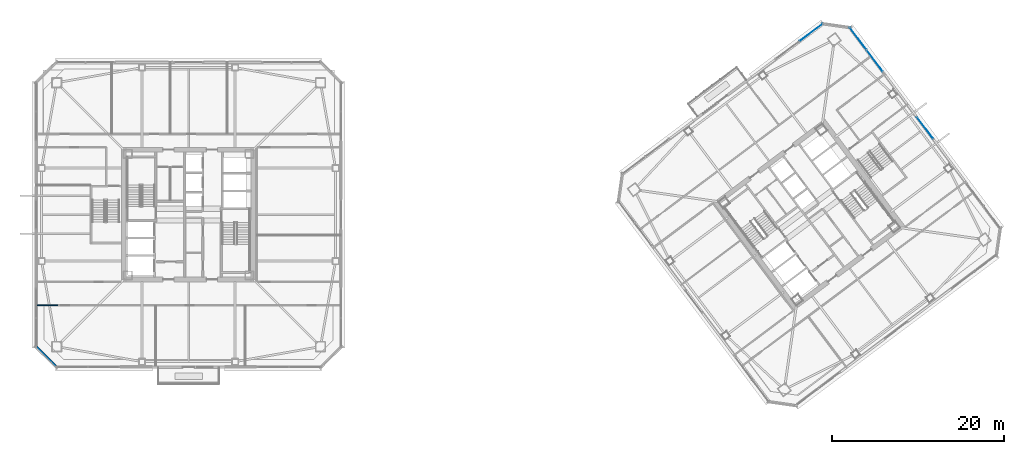
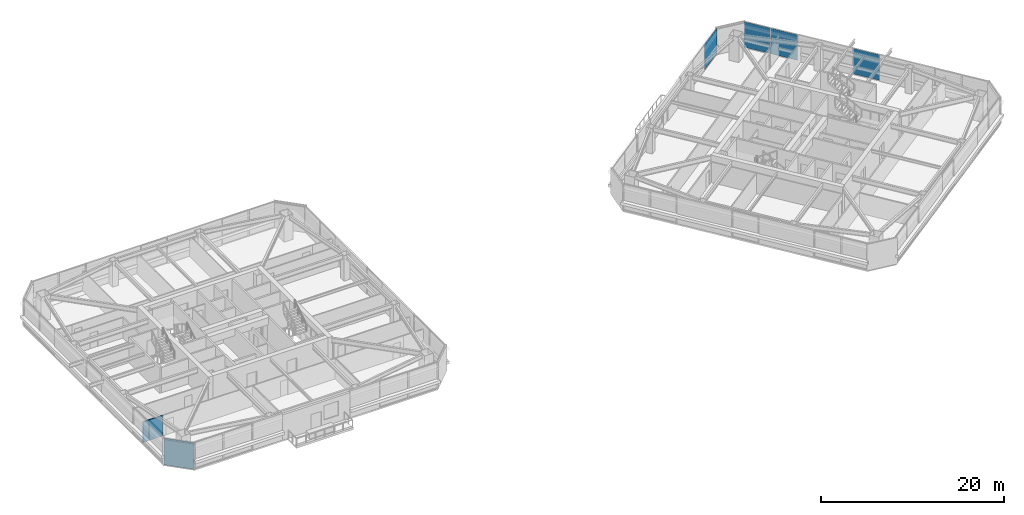
# One storey, part 33 of 44: 4 plates, 2 walls, 3 elements without a shape of their own.
"""IFC4 building model written with IfcOpenShell, lengths in metres."""

from ifc_helpers import new_model, si_unit, direction, frame, frame_2d, origin, origin_2d, place, context, subcontext, project, spatial, rectangle, extrude, material, layer, layer_set, type_object, element, aggregate, save


model = new_model("IFC4")

# Units and contexts
model_context = context("Model", 3, precision=1e-05, world=origin(), true_north=direction((0.0, 1.0)))
body_context = subcontext(model_context, "Body", "Model", "MODEL_VIEW")
ifc_project = project(units=[si_unit("LENGTHUNIT", "METRE"), si_unit("AREAUNIT", "SQUARE_METRE"), si_unit("VOLUMEUNIT", "CUBIC_METRE"), si_unit("PLANEANGLEUNIT", "RADIAN"), si_unit("MASSUNIT", "GRAM", prefix="KILO")], contexts=[model_context])

# Site, building, storey
site_placement = place(None, origin())
site = spatial("IfcSite", under=ifc_project, at=site_placement, CompositionType="ELEMENT")
building_placement = place(site_placement, origin())
building = spatial("IfcBuilding", under=site, at=building_placement, Name="Tashvorn Skyway Center", CompositionType="ELEMENT")
storey_placement = place(building_placement, frame((0.0, 0.0, 181.85009765625)))
storey = spatial("IfcBuildingStorey", under=building, at=storey_placement, Name="L49", CompositionType="ELEMENT", Elevation=181.85009765625)

# Curtain wall, plate
ifc_material_1 = material(Name="Thermally broken bronze-anodized aluminium 6063-T6", Category="aluminium")
curtain_wall_type = type_object("IfcCurtainWallType", Name="CW-CW-Z4", PredefinedType="NOTDEFINED", material=ifc_material_1)
curtain_wall_1_placement = place(storey_placement, origin())
curtain_wall_1 = element("IfcCurtainWall", 1, at=curtain_wall_1_placement, inside=storey, type_object=curtain_wall_type, Name="Tower 2 L49 North Curtain Wall R Glazing Group 1", PredefinedType="NOTDEFINED")
ifc_material_2 = material(Name="Low-E solar-control double insulating safety glass", Category="glass")
ifc_layer_1 = layer(ifc_material_2, 0.035888671875)
ifc_layer_set_1 = layer_set([ifc_layer_1], Name="Low-E solar-control double insulating safety glass")
plate_type = type_object("IfcPlateType", Name="CWP-CW-Z4", PredefinedType="CURTAIN_PANEL", material=ifc_layer_set_1)
plate_1_placement = place(storey_placement, frame((114.20458984375, 53.12841796875, 0.06982421875), z_axis=(0.0, 0.0, 1.0), x_axis=(0.79999825749, 0.60000232334, 0.0)))
plate_1 = element("IfcPlate", 2, at=plate_1_placement, type_object=plate_type, Name="CW-Z4 panel 2.1", PredefinedType="CURTAIN_PANEL", context=body_context, shape_type="SweptSolid", body=[
    extrude(rectangle(XDim=3.33837890625, YDim=0.035888671875, at=origin_2d()), origin(), (0.0, 0.0, 1.0), 3.409912109375),
])
aggregate(curtain_wall_1, [plate_1])

# Curtain wall, plates
curtain_wall_2_placement = place(storey_placement, origin())
curtain_wall_2 = element("IfcCurtainWall", 3, at=curtain_wall_2_placement, inside=storey, type_object=curtain_wall_type, Name="Tower 2 L49 East Unitised Curtain Wall Glazing Group 1", PredefinedType="NOTDEFINED")
plate_2_placement = place(storey_placement, frame((119.658447265625, 52.422119140625, 0.06982421875), z_axis=(0.0, 0.0, 1.0), x_axis=(0.600000000002, -0.799999999998, 0.0)))
plate_2 = element("IfcPlate", 4, at=plate_2_placement, type_object=plate_type, Name="CW-Z4 panel 1.1", PredefinedType="CURTAIN_PANEL", context=body_context, shape_type="SweptSolid", body=[
    extrude(rectangle(XDim=3.135009765625, YDim=0.035888671875, at=origin_2d()), origin(), (0.0, 0.0, 1.0), 3.409912109375),
])
plate_3_placement = place(storey_placement, frame((121.58154296875, 49.85791015625, 0.06982421875), z_axis=(0.0, 0.0, 1.0), x_axis=(0.600000000002, -0.799999999998, 0.0)))
plate_3 = element("IfcPlate", 5, at=plate_3_placement, type_object=plate_type, Name="CW-Z4 panel 2.1", PredefinedType="CURTAIN_PANEL", context=body_context, shape_type="SweptSolid", body=[
    extrude(rectangle(XDim=3.135009765625, YDim=0.035888671875, at=origin_2d()), origin(), (0.0, 0.0, 1.0), 3.409912109375),
])
aggregate(curtain_wall_2, [plate_2, plate_3])

# Curtain wall, plate
curtain_wall_3_placement = place(storey_placement, origin())
curtain_wall_3 = element("IfcCurtainWall", 6, at=curtain_wall_3_placement, inside=storey, type_object=curtain_wall_type, Name="Tower 2 L49 East Unitised Curtain Wall Glazing Group 2", PredefinedType="NOTDEFINED")
plate_4_placement = place(storey_placement, frame((127.424072265625, 42.068115234375, 0.06982421875), z_axis=(0.0, 0.0, 1.0), x_axis=(0.600000000002, -0.799999999998, 0.0)))
plate_4 = element("IfcPlate", 7, at=plate_4_placement, type_object=plate_type, Name="CW-Z4 panel 1.1", PredefinedType="CURTAIN_PANEL", context=body_context, shape_type="SweptSolid", body=[
    extrude(rectangle(XDim=3.10009765625, YDim=0.035888671875, at=origin_2d()), origin(), (0.0, 0.0, 1.0), 3.409912109375),
])
aggregate(curtain_wall_3, [plate_4])

# Walls
ifc_material_3 = material(Name="Precast concrete C40/50", Category="concrete")
ifc_layer_2 = layer(ifc_material_3, 0.280029296875)
ifc_layer_set_2 = layer_set([ifc_layer_2], Name="Precast concrete C40/50")
wall_type_1 = type_object("IfcWallType", Name="WALL-EXT-280", PredefinedType="SOLIDWALL", material=ifc_layer_set_2)
wall_1_placement = place(storey_placement, frame((26.699951171875, 14.300048828125, 0.0), z_axis=(0.0, 0.0, 1.0), x_axis=(-0.707106781187, 0.707106781187, 0.0)))
element("IfcWall", 8, at=wall_1_placement, inside=storey, type_object=wall_type_1, Name="Tower 1 L49 SW Precast Chamfer Wall", PredefinedType="SOLIDWALL", context=body_context, shape_type="SweptSolid", body=[
    extrude(rectangle(XDim=3.39404296875, YDim=0.280029296875, at=frame_2d((1.697021484375, 0.0))), origin(), (0.0, 0.0, 1.0), 3.369873046875),
])
ifc_material_4 = material(Name="Gypsum board on cold-formed steel stud framing", Category="steel")
ifc_layer_3 = layer(ifc_material_4, 0.135009765625)
ifc_layer_set_3 = layer_set([ifc_layer_3], Name="Gypsum board on cold-formed steel stud framing")
wall_type_2 = type_object("IfcWallType", Name="WALL-PART-135", PredefinedType="PARTITIONING", material=ifc_layer_set_3)
wall_2_placement = place(storey_placement, frame((24.320068359375, 21.47998046875, 0.0), z_axis=(0.0, 0.0, 1.0), x_axis=(1.0, 0.0, 0.0)))
element("IfcWall", 9, at=wall_2_placement, inside=storey, type_object=wall_type_2, Name="Tower 1 L49 South-West Suite North Wall", PredefinedType="PARTITIONING", context=body_context, shape_type="SweptSolid", body=[
    extrude(rectangle(XDim=2.530029296875, YDim=0.135009765625, at=frame_2d((1.26513671875, 0.0))), origin(), (0.0, 0.0, 1.0), 2.722900390625),
])

save(model, "model.ifc")
